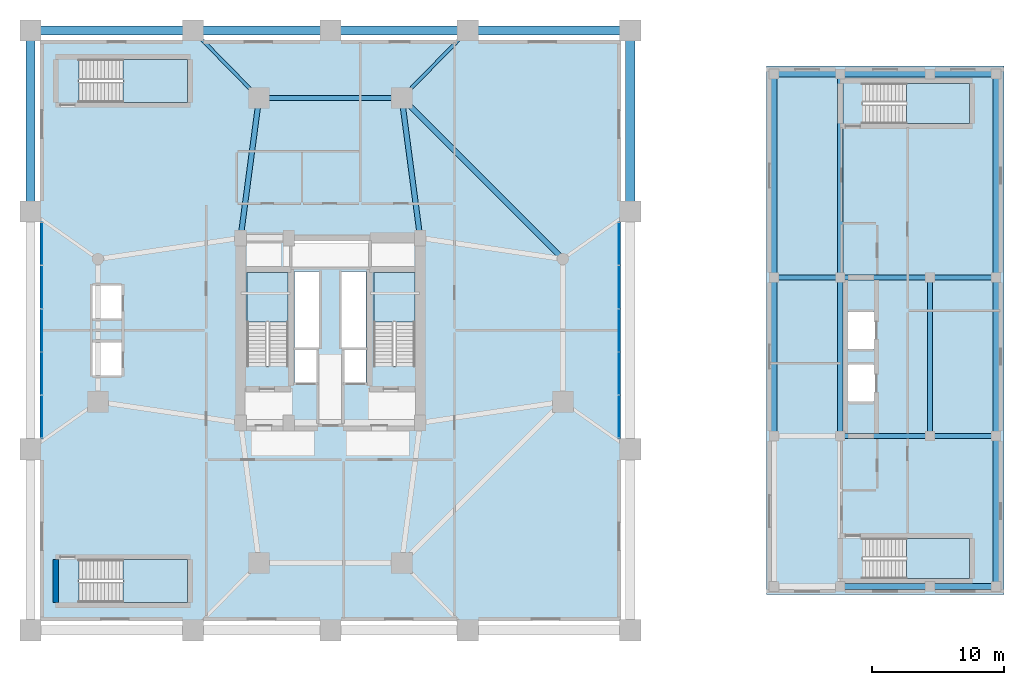
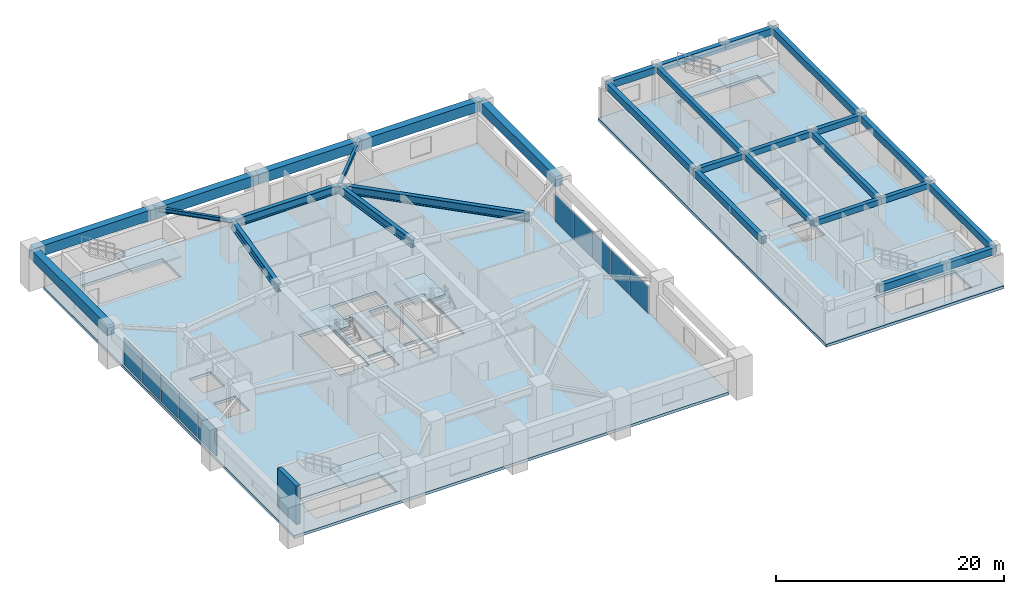
# One storey, part 13 of 22: 30 beams, 10 plates, 8 slabs, 1 wall, 8 elements without a shape of their own.
"""IFC4 building model written with IfcOpenShell, lengths in metres."""

from ifc_helpers import new_model, si_unit, direction, frame, frame_2d, origin, origin_2d, place, context, subcontext, project, spatial, polyline, rectangle, i_section, outline, extrude, source, transform, mapped, material, layer, layer_set, material_profile, profile_set, type_object, element, aggregate, save


model = new_model("IFC4")

# Units and contexts
model_context = context("Model", 3, precision=1e-05, world=origin(), true_north=direction((0.0, 1.0)))
body_context = subcontext(model_context, "Body", "Model", "MODEL_VIEW")
ifc_project = project(units=[si_unit("LENGTHUNIT", "METRE"), si_unit("AREAUNIT", "SQUARE_METRE"), si_unit("VOLUMEUNIT", "CUBIC_METRE"), si_unit("PLANEANGLEUNIT", "RADIAN"), si_unit("MASSUNIT", "GRAM", prefix="KILO")], contexts=[model_context])

# Site, building, storey
site_placement = place(None, origin())
site = spatial("IfcSite", under=ifc_project, at=site_placement, CompositionType="ELEMENT")
building_placement = place(site_placement, origin())
building = spatial("IfcBuilding", under=site, at=building_placement, Name="Veraguas Prism Commons", CompositionType="ELEMENT")
storey_placement = place(building_placement, frame((0.0, 0.0, 5.199951171875)))
storey = spatial("IfcBuildingStorey", under=building, at=storey_placement, Name="L01", CompositionType="ELEMENT", Elevation=5.199951171875)

# Beams
ifc_material_1 = material(Name="Concrete C50/60", Category="concrete")
ifc_material_profile_1 = material_profile(ifc_material_1, rectangle(XDim=0.39990234375, YDim=0.60009765625, at=origin_2d()), Name="RC400X600")
ifc_profile_set_1 = profile_set([ifc_material_profile_1], Name="Concrete C50/60")
beam_type_1 = type_object("IfcBeamType", Name="Clinic Secondary Beam RC 400x600", PredefinedType="BEAM", material=ifc_profile_set_1)
beam_1_placement = place(storey_placement, frame((62.60009765625, 16.0, 3.800048828125), z_axis=(1.0, 0.0, 0.0), x_axis=(0.0, 1.0, 0.0)))
element("IfcBeam", 1, at=beam_1_placement, inside=storey, type_object=beam_type_1, Name="Health Centre Beam L01-HCX05", PredefinedType="BEAM", context=body_context, shape_type="SweptSolid", body=[
    extrude(rectangle(XDim=0.39990234375, YDim=0.60009765625, at=origin_2d()), origin(), (0.0, 0.0, 1.0), 6.7998046875),
])
for number, where, z_axis, x_axis, name in (
    (2, (69.39990234375, 16.0, 3.800048828125), (1.0, 0.0, 0.0), (0.0, 1.0, 0.0), "Health Centre Beam L01-HCX06"),
    (3, (57.60009765625, 28.0, 3.800048828125), (1.0, 0.0, 0.0), (0.0, 1.0, 0.0), "Health Centre Beam L01-HCX07"),
):
    element("IfcBeam", number, at=place(storey_placement, frame(where, z_axis=z_axis, x_axis=x_axis)), inside=storey, type_object=beam_type_1, Name=name, PredefinedType="BEAM", context=body_context, shape_type="SweptSolid", body=[
        extrude(rectangle(XDim=0.39990234375, YDim=0.60009765625, at=origin_2d()), origin(), (0.0, 0.0, 1.0), 5.0),
    ])
beam_2_placement = place(storey_placement, frame((62.60009765625, 28.0, 3.800048828125), z_axis=(1.0, 0.0, 0.0), x_axis=(0.0, 1.0, 0.0)))
element("IfcBeam", 4, at=beam_2_placement, inside=storey, type_object=beam_type_1, Name="Health Centre Beam L01-HCX08", PredefinedType="BEAM", context=body_context, shape_type="SweptSolid", body=[
    extrude(rectangle(XDim=0.39990234375, YDim=0.60009765625, at=origin_2d()), origin(), (0.0, 0.0, 1.0), 6.7998046875),
])
beam_3_placement = place(storey_placement, frame((69.39990234375, 28.0, 3.800048828125), z_axis=(1.0, 0.0, 0.0), x_axis=(0.0, 1.0, 0.0)))
element("IfcBeam", 5, at=beam_3_placement, inside=storey, type_object=beam_type_1, Name="Health Centre Beam L01-HCX09", PredefinedType="BEAM", context=body_context, shape_type="SweptSolid", body=[
    extrude(rectangle(XDim=0.39990234375, YDim=0.60009765625, at=origin_2d()), origin(), (0.0, 0.0, 1.0), 5.0),
])
beam_4_placement = place(storey_placement, frame((62.60009765625, 16.0, 3.800048828125), z_axis=(0.0, 1.0, 0.0), x_axis=(-1.0, 0.0, 0.0)))
element("IfcBeam", 6, at=beam_4_placement, inside=storey, type_object=beam_type_1, Name="Health Centre Beam L01-HCY17", PredefinedType="BEAM", context=body_context, shape_type="SweptSolid", body=[
    extrude(rectangle(XDim=0.39990234375, YDim=0.60009765625, at=origin_2d()), origin(), (0.0, 0.0, 1.0), 12.0),
])
beam_5_placement = place(storey_placement, frame((62.60009765625, 28.0, 3.800048828125), z_axis=(0.0, 1.0, 0.0), x_axis=(-1.0, 0.0, 0.0)))
element("IfcBeam", 7, at=beam_5_placement, inside=storey, type_object=beam_type_1, Name="Health Centre Beam L01-HCY18", PredefinedType="BEAM", context=body_context, shape_type="SweptSolid", body=[
    extrude(rectangle(XDim=0.39990234375, YDim=0.60009765625, at=origin_2d()), origin(), (0.0, 0.0, 1.0), 15.39990234375),
])
beam_6_placement = place(storey_placement, frame((69.39990234375, 16.0, 3.800048828125), z_axis=(0.0, 1.0, 0.0), x_axis=(-1.0, 0.0, 0.0)))
element("IfcBeam", 8, at=beam_6_placement, inside=storey, type_object=beam_type_1, Name="Health Centre Beam L01-HCY20", PredefinedType="BEAM", context=body_context, shape_type="SweptSolid", body=[
    extrude(rectangle(XDim=0.39990234375, YDim=0.60009765625, at=origin_2d()), origin(), (0.0, 0.0, 1.0), 12.0),
])
ifc_material_2 = material(Name="Steel ASTM A992 Grade 50", Category="steel")
ifc_material_profile_2 = material_profile(ifc_material_2, i_section(OverallWidth=0.403076171875, OverallDepth=0.867919921875, WebThickness=0.02099609375, FlangeThickness=0.03564453125, at=origin_2d()), Name="W840X359")
ifc_profile_set_2 = profile_set([ifc_material_profile_2], Name="Steel ASTM A992 Grade 50")
beam_type_2 = type_object("IfcBeamType", Name="Concourse Primary Girder W840x359", PredefinedType="BEAM", material=ifc_profile_set_2)
for number, where, z_axis, x_axis, name in (
    (9, (29.39990234375, 41.60009765625, 3.666015625), (0.130950648891, -0.991388888154, 0.0), (0.991388888154, 0.130950648891, 0.0), "Concourse Radial Girder L01-TMR03"),
    (10, (18.60009765625, 41.60009765625, 3.666015625), (-0.130950648891, -0.991388888154, 0.0), (0.991388888154, -0.130950648891, 0.0), "Concourse Radial Girder L01-TMR04"),
):
    element("IfcBeam", number, at=place(storey_placement, frame(where, z_axis=z_axis, x_axis=x_axis)), inside=storey, type_object=beam_type_2, Name=name, PredefinedType="BEAM", context=body_context, shape_type="SweptSolid", body=[
        extrude(i_section(OverallWidth=0.403076171875, OverallDepth=0.867919921875, WebThickness=0.02099609375, FlangeThickness=0.03564453125, at=origin_2d()), origin(), (0.0, 0.0, 1.0), 10.692138671875),
    ])
beam_7_placement = place(storey_placement, frame((41.60009765625, 29.39990234375, 3.666015625), z_axis=(-0.707106781187, 0.707106781187, 0.0), x_axis=(-0.707106781187, -0.707106781187, 0.0)))
element("IfcBeam", 11, at=beam_7_placement, inside=storey, type_object=beam_type_2, Name="Concourse Ring Girder L01-TMH02", PredefinedType="BEAM", context=body_context, shape_type="SweptSolid", body=[
    extrude(i_section(OverallWidth=0.403076171875, OverallDepth=0.867919921875, WebThickness=0.02099609375, FlangeThickness=0.03564453125, at=origin_2d()), origin(), (0.0, 0.0, 1.0), 17.253662109375),
])
beam_8_placement = place(storey_placement, frame((29.39990234375, 41.60009765625, 3.666015625), z_axis=(-1.0, 0.0, 0.0), x_axis=(0.0, -1.0, 0.0)))
element("IfcBeam", 12, at=beam_8_placement, inside=storey, type_object=beam_type_2, Name="Concourse Ring Girder L01-TMH03", PredefinedType="BEAM", context=body_context, shape_type="SweptSolid", body=[
    extrude(i_section(OverallWidth=0.403076171875, OverallDepth=0.867919921875, WebThickness=0.02099609375, FlangeThickness=0.03564453125, at=origin_2d()), origin(), (0.0, 0.0, 1.0), 10.7998046875),
])
ifc_material_profile_3 = material_profile(ifc_material_2, i_section(OverallWidth=0.260986328125, OverallDepth=0.419921875, WebThickness=0.01171875, FlangeThickness=0.019287109375, at=origin_2d()), Name="W410X114")
ifc_profile_set_3 = profile_set([ifc_material_profile_3], Name="Steel ASTM A992 Grade 50")
beam_type_3 = type_object("IfcBeamType", Name="Lower Floor Joist W410x114", PredefinedType="JOIST", material=ifc_profile_set_3)
for number, where, z_axis, x_axis, name in (
    (13, (29.39990234375, 41.60009765625, 3.89013671875), (0.700081663946, 0.71406278702, 0.0), (-0.71406278702, 0.700081663946, 0.0), "Podium Tie Beam L01-TMT03"),
    (14, (18.60009765625, 41.60009765625, 3.89013671875), (-0.700081663946, 0.71406278702, 0.0), (-0.71406278702, -0.700081663946, 0.0), "Podium Tie Beam L01-TMT04"),
):
    element("IfcBeam", number, at=place(storey_placement, frame(where, z_axis=z_axis, x_axis=x_axis)), inside=storey, type_object=beam_type_3, Name=name, PredefinedType="JOIST", context=body_context, shape_type="SweptSolid", body=[
        extrude(i_section(OverallWidth=0.260986328125, OverallDepth=0.419921875, WebThickness=0.01171875, FlangeThickness=0.019287109375, at=origin_2d()), origin(), (0.0, 0.0, 1.0), 7.14208984375),
    ])
ifc_material_profile_4 = material_profile(ifc_material_1, rectangle(XDim=0.449951171875, YDim=0.75, at=origin_2d()), Name="RC450X750")
ifc_profile_set_4 = profile_set([ifc_material_profile_4], Name="Concrete C50/60")
beam_type_4 = type_object("IfcBeamType", Name="Perimeter Spandrel Upper RC 450x750", PredefinedType="SPANDREL", material=ifc_profile_set_4)
beam_9_placement = place(storey_placement, frame((62.60009765625, 4.60009765625, 3.72509765625), z_axis=(1.0, 0.0, 0.0), x_axis=(0.0, 1.0, 0.0)))
element("IfcBeam", 15, at=beam_9_placement, inside=storey, type_object=beam_type_4, Name="Health Centre Beam L01-HCX02", PredefinedType="SPANDREL", context=body_context, shape_type="SweptSolid", body=[
    extrude(rectangle(XDim=0.449951171875, YDim=0.75, at=origin_2d()), origin(), (0.0, 0.0, 1.0), 6.7998046875),
])
for number, where, z_axis, x_axis, name in (
    (16, (69.39990234375, 4.60009765625, 3.72509765625), (1.0, 0.0, 0.0), (0.0, 1.0, 0.0), "Health Centre Beam L01-HCX03"),
    (17, (57.60009765625, 43.39990234375, 3.72509765625), (1.0, 0.0, 0.0), (0.0, 1.0, 0.0), "Health Centre Beam L01-HCX10"),
):
    element("IfcBeam", number, at=place(storey_placement, frame(where, z_axis=z_axis, x_axis=x_axis)), inside=storey, type_object=beam_type_4, Name=name, PredefinedType="SPANDREL", context=body_context, shape_type="SweptSolid", body=[
        extrude(rectangle(XDim=0.449951171875, YDim=0.75, at=origin_2d()), origin(), (0.0, 0.0, 1.0), 5.0),
    ])
beam_10_placement = place(storey_placement, frame((62.60009765625, 43.39990234375, 3.72509765625), z_axis=(1.0, 0.0, 0.0), x_axis=(0.0, 1.0, 0.0)))
element("IfcBeam", 18, at=beam_10_placement, inside=storey, type_object=beam_type_4, Name="Health Centre Beam L01-HCX11", PredefinedType="SPANDREL", context=body_context, shape_type="SweptSolid", body=[
    extrude(rectangle(XDim=0.449951171875, YDim=0.75, at=origin_2d()), origin(), (0.0, 0.0, 1.0), 6.7998046875),
])
beam_11_placement = place(storey_placement, frame((69.39990234375, 43.39990234375, 3.72509765625), z_axis=(1.0, 0.0, 0.0), x_axis=(0.0, 1.0, 0.0)))
element("IfcBeam", 19, at=beam_11_placement, inside=storey, type_object=beam_type_4, Name="Health Centre Beam L01-HCX12", PredefinedType="SPANDREL", context=body_context, shape_type="SweptSolid", body=[
    extrude(rectangle(XDim=0.449951171875, YDim=0.75, at=origin_2d()), origin(), (0.0, 0.0, 1.0), 5.0),
])
beam_12_placement = place(storey_placement, frame((57.60009765625, 16.0, 3.72509765625), z_axis=(0.0, 1.0, 0.0), x_axis=(-1.0, 0.0, 0.0)))
element("IfcBeam", 20, at=beam_12_placement, inside=storey, type_object=beam_type_4, Name="Health Centre Beam L01-HCY14", PredefinedType="SPANDREL", context=body_context, shape_type="SweptSolid", body=[
    extrude(rectangle(XDim=0.449951171875, YDim=0.75, at=origin_2d()), origin(), (0.0, 0.0, 1.0), 12.0),
])
beam_13_placement = place(storey_placement, frame((57.60009765625, 28.0, 3.72509765625), z_axis=(0.0, 1.0, 0.0), x_axis=(-1.0, 0.0, 0.0)))
element("IfcBeam", 21, at=beam_13_placement, inside=storey, type_object=beam_type_4, Name="Health Centre Beam L01-HCY15", PredefinedType="SPANDREL", context=body_context, shape_type="SweptSolid", body=[
    extrude(rectangle(XDim=0.449951171875, YDim=0.75, at=origin_2d()), origin(), (0.0, 0.0, 1.0), 15.39990234375),
])
beam_14_placement = place(storey_placement, frame((74.39990234375, 4.60009765625, 3.72509765625), z_axis=(0.0, 1.0, 0.0), x_axis=(-1.0, 0.0, 0.0)))
element("IfcBeam", 22, at=beam_14_placement, inside=storey, type_object=beam_type_4, Name="Health Centre Beam L01-HCY22", PredefinedType="SPANDREL", context=body_context, shape_type="SweptSolid", body=[
    extrude(rectangle(XDim=0.449951171875, YDim=0.75, at=origin_2d()), origin(), (0.0, 0.0, 1.0), 11.39990234375),
])
beam_15_placement = place(storey_placement, frame((74.39990234375, 16.0, 3.72509765625), z_axis=(0.0, 1.0, 0.0), x_axis=(-1.0, 0.0, 0.0)))
element("IfcBeam", 23, at=beam_15_placement, inside=storey, type_object=beam_type_4, Name="Health Centre Beam L01-HCY23", PredefinedType="SPANDREL", context=body_context, shape_type="SweptSolid", body=[
    extrude(rectangle(XDim=0.449951171875, YDim=0.75, at=origin_2d()), origin(), (0.0, 0.0, 1.0), 12.0),
])
beam_16_placement = place(storey_placement, frame((74.39990234375, 28.0, 3.72509765625), z_axis=(0.0, 1.0, 0.0), x_axis=(-1.0, 0.0, 0.0)))
element("IfcBeam", 24, at=beam_16_placement, inside=storey, type_object=beam_type_4, Name="Health Centre Beam L01-HCY24", PredefinedType="SPANDREL", context=body_context, shape_type="SweptSolid", body=[
    extrude(rectangle(XDim=0.449951171875, YDim=0.75, at=origin_2d()), origin(), (0.0, 0.0, 1.0), 15.39990234375),
])
ifc_material_profile_5 = material_profile(ifc_material_1, rectangle(XDim=0.699951171875, YDim=1.10009765625, at=origin_2d()), Name="RC700X1100")
ifc_profile_set_5 = profile_set([ifc_material_profile_5], Name="Concrete C50/60")
beam_type_5 = type_object("IfcBeamType", Name="Podium Primary Girder RC 700x1100", PredefinedType="BEAM", material=ifc_profile_set_5)
beam_17_placement = place(storey_placement, frame((46.699951171875, 33.0, 3.550048828125), z_axis=(0.0, 1.0, 0.0), x_axis=(-1.0, 0.0, 0.0)))
element("IfcBeam", 25, at=beam_17_placement, inside=storey, type_object=beam_type_5, Name="Podium Perimeter Girder L01-PDR07", PredefinedType="BEAM", context=body_context, shape_type="SweptSolid", body=[
    extrude(rectangle(XDim=0.699951171875, YDim=1.10009765625, at=origin_2d()), origin(), (0.0, 0.0, 1.0), 13.699951171875),
])
beam_18_placement = place(storey_placement, frame((46.699951171875, 46.699951171875, 3.550048828125), z_axis=(-1.0, 0.0, 0.0), x_axis=(0.0, -1.0, 0.0)))
element("IfcBeam", 26, at=beam_18_placement, inside=storey, type_object=beam_type_5, Name="Podium Perimeter Girder L01-PDR08", PredefinedType="BEAM", context=body_context, shape_type="SweptSolid", body=[
    extrude(rectangle(XDim=0.699951171875, YDim=1.10009765625, at=origin_2d()), origin(), (0.0, 0.0, 1.0), 12.300048828125),
])
for number, where, z_axis, x_axis, name in (
    (27, (34.39990234375, 46.699951171875, 3.550048828125), (-1.0, 0.0, 0.0), (0.0, -1.0, 0.0), "Podium Perimeter Girder L01-PDR09"),
    (28, (24.0, 46.699951171875, 3.550048828125), (-1.0, 0.0, 0.0), (0.0, -1.0, 0.0), "Podium Perimeter Girder L01-PDR10"),
):
    element("IfcBeam", number, at=place(storey_placement, frame(where, z_axis=z_axis, x_axis=x_axis)), inside=storey, type_object=beam_type_5, Name=name, PredefinedType="BEAM", context=body_context, shape_type="SweptSolid", body=[
        extrude(rectangle(XDim=0.699951171875, YDim=1.10009765625, at=origin_2d()), origin(), (0.0, 0.0, 1.0), 10.39990234375),
    ])
beam_19_placement = place(storey_placement, frame((13.60009765625, 46.699951171875, 3.550048828125), z_axis=(-1.0, 0.0, 0.0), x_axis=(0.0, -1.0, 0.0)))
element("IfcBeam", 29, at=beam_19_placement, inside=storey, type_object=beam_type_5, Name="Podium Perimeter Girder L01-PDR11", PredefinedType="BEAM", context=body_context, shape_type="SweptSolid", body=[
    extrude(rectangle(XDim=0.699951171875, YDim=1.10009765625, at=origin_2d()), origin(), (0.0, 0.0, 1.0), 12.300048828125),
])
beam_20_placement = place(storey_placement, frame((1.300048828125, 46.699951171875, 3.550048828125), z_axis=(0.0, -1.0, 0.0), x_axis=(1.0, 0.0, 0.0)))
element("IfcBeam", 30, at=beam_20_placement, inside=storey, type_object=beam_type_5, Name="Podium Perimeter Girder L01-PDR12", PredefinedType="BEAM", context=body_context, shape_type="SweptSolid", body=[
    extrude(rectangle(XDim=0.699951171875, YDim=1.10009765625, at=origin_2d()), origin(), (0.0, 0.0, 1.0), 13.699951171875),
])

# Slabs
ifc_material_3 = material(Name="Concrete C45/55", Category="concrete")
ifc_layer_1 = layer(ifc_material_3, 0.300048828125, Name="Podium Concourse and Clinic Slab RC 300", Category="concrete")
ifc_layer_set_1 = layer_set([ifc_layer_1], Name="Concrete C45/55")
slab_type_1 = type_object("IfcSlabType", Name="Podium Concourse and Clinic Slab RC 300", PredefinedType="FLOOR", material=ifc_layer_set_1)
slab_1_placement = place(storey_placement, frame((0.0, 0.0, -0.300048828125)))
element("IfcSlab", 31, at=slab_1_placement, inside=storey, type_object=slab_type_1, Name="Podium and Station Slab L01", PredefinedType="FLOOR", context=body_context, shape_type="SweptSolid", body=[
    extrude(outline(polyline([(2.0, 2.0), (46.0, 2.0), (46.0, 46.0), (2.0, 46.0), (2.0, 2.0)]), holes=[polyline([(20.800048828125, 21.31005859375), (20.800048828125, 28.39990234375), (17.68994140625, 28.39990234375), (17.68994140625, 21.31005859375), (20.800048828125, 21.31005859375)]), polyline([(30.39990234375, 21.31005859375), (30.39990234375, 28.39990234375), (27.2900390625, 28.39990234375), (27.2900390625, 21.31005859375), (30.39990234375, 21.31005859375)]), polyline([(4.97998046875, 3.39990234375), (13.199951171875, 3.39990234375), (13.199951171875, 6.64990234375), (4.97998046875, 6.64990234375), (4.97998046875, 3.39990234375)]), polyline([(4.97998046875, 41.260009765625), (13.199951171875, 41.260009765625), (13.199951171875, 44.510009765625), (4.97998046875, 44.510009765625), (4.97998046875, 41.260009765625)]), polyline([(21.300048828125, 22.64990234375), (23.14990234375, 22.64990234375), (23.14990234375, 28.449951171875), (21.300048828125, 28.449951171875), (21.300048828125, 22.64990234375)]), polyline([(24.85009765625, 22.64990234375), (26.699951171875, 22.64990234375), (26.699951171875, 28.449951171875), (24.85009765625, 28.449951171875), (24.85009765625, 22.64990234375)]), polyline([(21.10009765625, 28.800048828125), (26.89990234375, 28.800048828125), (26.89990234375, 30.800048828125), (21.10009765625, 30.800048828125), (21.10009765625, 28.800048828125)]), polyline([(21.300048828125, 20.050048828125), (23.050048828125, 20.050048828125), (23.050048828125, 22.550048828125), (21.300048828125, 22.550048828125), (21.300048828125, 20.050048828125)]), polyline([(24.949951171875, 20.050048828125), (26.699951171875, 20.050048828125), (26.699951171875, 22.550048828125), (24.949951171875, 22.550048828125), (24.949951171875, 20.050048828125)]), polyline([(6.0, 20.60009765625), (8.199951171875, 20.60009765625), (8.199951171875, 23.10009765625), (6.0, 23.10009765625), (6.0, 20.60009765625)]), polyline([(6.0, 24.89990234375), (8.199951171875, 24.89990234375), (8.199951171875, 27.39990234375), (6.0, 27.39990234375), (6.0, 24.89990234375)])]), origin(), (0.0, 0.0, 1.0), 0.300048828125),
])
slab_2_placement = place(storey_placement, frame((0.0, 0.0, -0.300048828125)))
element("IfcSlab", 32, at=slab_2_placement, inside=storey, type_object=slab_type_1, Name="Health Centre Floor Slab L01", PredefinedType="FLOOR", context=body_context, shape_type="SweptSolid", body=[
    extrude(outline(polyline([(57.0, 4.0), (75.0, 4.0), (75.0, 44.0), (57.0, 44.0), (57.0, 4.0)]), holes=[polyline([(64.280029296875, 5.199951171875), (72.39990234375, 5.199951171875), (72.39990234375, 8.25), (64.280029296875, 8.25), (64.280029296875, 5.199951171875)]), polyline([(64.280029296875, 39.659912109375), (72.39990234375, 39.659912109375), (72.39990234375, 42.7099609375), (64.280029296875, 42.7099609375), (64.280029296875, 39.659912109375)]), polyline([(63.199951171875, 18.60009765625), (65.25, 18.60009765625), (65.25, 21.39990234375), (63.199951171875, 21.39990234375), (63.199951171875, 18.60009765625)]), polyline([(63.199951171875, 22.60009765625), (65.25, 22.60009765625), (65.25, 25.39990234375), (63.199951171875, 25.39990234375), (63.199951171875, 22.60009765625)])]), origin(), (0.0, 0.0, 1.0), 0.300048828125),
])

# Stair, slab
ifc_material_4 = material(Name="Precast concrete C45/55", Category="concrete")
stair_type_1 = type_object("IfcStairType", Name="Dogleg Core Stair 1480W 26R 03", PredefinedType="HALF_TURN_STAIR", material=ifc_material_4)
stair_1_placement = place(storey_placement, origin())
stair_1 = element("IfcStair", 33, at=stair_1_placement, inside=storey, type_object=stair_type_1, Name="Protected Exit Stair ST-01 L01", PredefinedType="HALF_TURN_STAIR")
ifc_layer_2 = layer(ifc_material_4, 0.199951171875, Name="Precast Stair and Ramp Landing Slab 200", Category="concrete")
ifc_layer_set_2 = layer_set([ifc_layer_2], Name="Precast concrete C45/55")
slab_type_2 = type_object("IfcSlabType", Name="Precast Stair and Ramp Landing Slab 200", PredefinedType="LANDING", material=ifc_layer_set_2)
slab_3_placement = place(storey_placement, frame((0.0, 0.0, 2.0)))
slab_3 = element("IfcSlab", 34, at=slab_3_placement, type_object=slab_type_2, Name="ST-03 Landing 1", PredefinedType="LANDING", context=body_context, shape_type="SweptSolid", body=[
    extrude(outline(polyline([(20.800048828125, 24.639892578125), (20.800048828125, 28.39990234375), (17.68994140625, 28.39990234375), (17.68994140625, 24.639892578125), (20.800048828125, 24.639892578125)])), origin(), (0.0, 0.0, 1.0), 0.199951171875),
])
aggregate(stair_1, [slab_3])

stair_2_placement = place(storey_placement, origin())
stair_2 = element("IfcStair", 35, at=stair_2_placement, inside=storey, type_object=stair_type_1, Name="Protected Exit Stair ST-02 L01", PredefinedType="HALF_TURN_STAIR")
slab_4_placement = place(storey_placement, frame((0.0, 0.0, 2.0)))
slab_4 = element("IfcSlab", 36, at=slab_4_placement, type_object=slab_type_2, Name="ST-03 Landing 1", PredefinedType="LANDING", context=body_context, shape_type="SweptSolid", body=[
    extrude(outline(polyline([(30.39990234375, 24.639892578125), (30.39990234375, 28.39990234375), (27.2900390625, 28.39990234375), (27.2900390625, 24.639892578125), (30.39990234375, 24.639892578125)])), origin(), (0.0, 0.0, 1.0), 0.199951171875),
])
aggregate(stair_2, [slab_4])

stair_type_2 = type_object("IfcStairType", Name="Dogleg Core Stair 1550W 26R 11", PredefinedType="HALF_TURN_STAIR", material=ifc_material_4)
stair_3_placement = place(storey_placement, origin())
stair_3 = element("IfcStair", 37, at=stair_3_placement, inside=storey, type_object=stair_type_2, Name="Protected Exit Stair ST-M1 L01", PredefinedType="HALF_TURN_STAIR")
slab_5_placement = place(storey_placement, frame((0.0, 0.0, 2.0)))
slab_5 = element("IfcSlab", 38, at=slab_5_placement, type_object=slab_type_2, Name="ST-11 Landing 1", PredefinedType="LANDING", context=body_context, shape_type="SweptSolid", body=[
    extrude(outline(polyline([(8.31005859375, 3.39990234375), (13.199951171875, 3.39990234375), (13.199951171875, 6.64990234375), (8.31005859375, 6.64990234375), (8.31005859375, 3.39990234375)])), origin(), (0.0, 0.0, 1.0), 0.199951171875),
])
aggregate(stair_3, [slab_5])

stair_4_placement = place(storey_placement, origin())
stair_4 = element("IfcStair", 39, at=stair_4_placement, inside=storey, type_object=stair_type_2, Name="Protected Exit Stair ST-M2 L01", PredefinedType="HALF_TURN_STAIR")
slab_6_placement = place(storey_placement, frame((0.0, 0.0, 2.0)))
slab_6 = element("IfcSlab", 40, at=slab_6_placement, type_object=slab_type_2, Name="ST-11 Landing 1", PredefinedType="LANDING", context=body_context, shape_type="SweptSolid", body=[
    extrude(outline(polyline([(8.31005859375, 41.260009765625), (13.199951171875, 41.260009765625), (13.199951171875, 44.510009765625), (8.31005859375, 44.510009765625), (8.31005859375, 41.260009765625)])), origin(), (0.0, 0.0, 1.0), 0.199951171875),
])
aggregate(stair_4, [slab_6])

stair_type_3 = type_object("IfcStairType", Name="Dogleg Core Stair 1450W 26R 14", PredefinedType="HALF_TURN_STAIR", material=ifc_material_4)
stair_5_placement = place(storey_placement, origin())
stair_5 = element("IfcStair", 41, at=stair_5_placement, inside=storey, type_object=stair_type_3, Name="Protected Exit Stair ST-H1 L01", PredefinedType="HALF_TURN_STAIR")
slab_7_placement = place(storey_placement, frame((0.0, 0.0, 2.0)))
slab_7 = element("IfcSlab", 42, at=slab_7_placement, type_object=slab_type_2, Name="ST-14 Landing 1", PredefinedType="LANDING", context=body_context, shape_type="SweptSolid", body=[
    extrude(outline(polyline([(67.610107421875, 5.199951171875), (72.39990234375, 5.199951171875), (72.39990234375, 8.25), (67.610107421875, 8.25), (67.610107421875, 5.199951171875)])), origin(), (0.0, 0.0, 1.0), 0.199951171875),
])
aggregate(stair_5, [slab_7])

stair_6_placement = place(storey_placement, origin())
stair_6 = element("IfcStair", 43, at=stair_6_placement, inside=storey, type_object=stair_type_3, Name="Protected Exit Stair ST-H2 L01", PredefinedType="HALF_TURN_STAIR")
slab_8_placement = place(storey_placement, frame((0.0, 0.0, 2.0)))
slab_8 = element("IfcSlab", 44, at=slab_8_placement, type_object=slab_type_2, Name="ST-14 Landing 1", PredefinedType="LANDING", context=body_context, shape_type="SweptSolid", body=[
    extrude(outline(polyline([(67.610107421875, 39.659912109375), (72.39990234375, 39.659912109375), (72.39990234375, 42.7099609375), (67.610107421875, 42.7099609375), (67.610107421875, 39.659912109375)])), origin(), (0.0, 0.0, 1.0), 0.199951171875),
])
aggregate(stair_6, [slab_8])

# Curtain wall, plates
ifc_material_5 = material(Name="Anodised aluminium EN AW-6063 T6", Category="aluminium")
ifc_layer_3 = layer(ifc_material_5, 0.199951171875, Name="Metro Concourse Structural Glazing", Category="aluminium")
ifc_layer_set_3 = layer_set([ifc_layer_3], Name="Anodised aluminium EN AW-6063 T6")
curtain_wall_type = type_object("IfcCurtainWallType", Name="Metro Concourse Structural Glazing", PredefinedType="NOTDEFINED", material=ifc_layer_set_3)
curtain_wall_1_placement = place(storey_placement, origin())
curtain_wall_1 = element("IfcCurtainWall", 45, at=curtain_wall_1_placement, inside=storey, type_object=curtain_wall_type, Name="Plaza Concourse Curtain Wall L01-E02", PredefinedType="NOTDEFINED")
ifc_material_6 = material(Name="Laminated low-e glass", Category="glass")
ifc_layer_4 = layer(ifc_material_6, 0.031982421875, Name="Concourse Acoustic Triple Glazed Panel 32", Category="glass")
ifc_layer_set_4 = layer_set([ifc_layer_4], Name="Laminated low-e glass")
plate_type = type_object("IfcPlateType", Name="Concourse Acoustic Triple Glazed Panel 32", PredefinedType="CURTAIN_PANEL", material=ifc_layer_set_4)
shared_shape_1 = source(origin(), body_context, "Body", "SweptSolid", [
    extrude(rectangle(XDim=3.1826171875, YDim=0.031982421875, at=origin_2d()), origin(), (0.0, 0.0, 1.0), 2.8798828125),
])
plate_1_placement = place(storey_placement, frame((45.85009765625, 17.456298828125, 0.06005859375), z_axis=(0.0, 0.0, 1.0), x_axis=(0.0, 1.0, 0.0)))
plate_1 = element("IfcPlate", 46, at=plate_1_placement, type_object=plate_type, Name="CW-STN Panel 1.1", PredefinedType="CURTAIN_PANEL", context=body_context, shape_type="MappedRepresentation", body=[
    mapped(shared_shape_1, transform((0.0, 0.0, 0.0), scale=1.0)),
])
plate_2_placement = place(storey_placement, frame((45.85009765625, 30.543701171875, 0.06005859375), z_axis=(0.0, 0.0, 1.0), x_axis=(0.0, 1.0, 0.0)))
plate_2 = element("IfcPlate", 47, at=plate_2_placement, type_object=plate_type, Name="CW-STN Panel 5.1", PredefinedType="CURTAIN_PANEL", context=body_context, shape_type="MappedRepresentation", body=[
    mapped(shared_shape_1, transform((0.0, 0.0, 0.0), scale=1.0)),
])

curtain_wall_2_placement = place(storey_placement, origin())
curtain_wall_2 = element("IfcCurtainWall", 48, at=curtain_wall_2_placement, inside=storey, type_object=curtain_wall_type, Name="Via Espana Metro Concourse Curtain Wall L01-W02", PredefinedType="NOTDEFINED")
plate_3_placement = place(storey_placement, frame((2.14990234375, 30.543701171875, 0.06005859375), z_axis=(0.0, 0.0, 1.0), x_axis=(0.0, -1.0, 0.0)))
plate_3 = element("IfcPlate", 49, at=plate_3_placement, type_object=plate_type, Name="CW-STN Panel 1.1", PredefinedType="CURTAIN_PANEL", context=body_context, shape_type="MappedRepresentation", body=[
    mapped(shared_shape_1, transform((0.0, 0.0, 0.0), scale=1.0)),
])
plate_4_placement = place(storey_placement, frame((2.14990234375, 17.456298828125, 0.06005859375), z_axis=(0.0, 0.0, 1.0), x_axis=(0.0, -1.0, 0.0)))
plate_4 = element("IfcPlate", 50, at=plate_4_placement, type_object=plate_type, Name="CW-STN Panel 5.1", PredefinedType="CURTAIN_PANEL", context=body_context, shape_type="MappedRepresentation", body=[
    mapped(shared_shape_1, transform((0.0, 0.0, 0.0), scale=1.0)),
])

# Plate
shared_shape_2 = source(origin(), body_context, "Body", "SweptSolid", [
    extrude(rectangle(XDim=3.215087890625, YDim=0.031982421875, at=origin_2d()), origin(), (0.0, 0.0, 1.0), 2.8798828125),
])
plate_5_placement = place(storey_placement, frame((45.85009765625, 20.719970703125, 0.06005859375), z_axis=(0.0, 0.0, 1.0), x_axis=(0.0, 1.0, 0.0)))
plate_5 = element("IfcPlate", 51, at=plate_5_placement, type_object=plate_type, Name="CW-STN Panel 2.1", PredefinedType="CURTAIN_PANEL", context=body_context, shape_type="MappedRepresentation", body=[
    mapped(shared_shape_2, transform((0.0, 0.0, 0.0), scale=1.0)),
])

plate_6_placement = place(storey_placement, frame((45.85009765625, 24.0, 0.06005859375), z_axis=(0.0, 0.0, 1.0), x_axis=(0.0, 1.0, 0.0)))
plate_6 = element("IfcPlate", 52, at=plate_6_placement, type_object=plate_type, Name="CW-STN Panel 3.1", PredefinedType="CURTAIN_PANEL", context=body_context, shape_type="MappedRepresentation", body=[
    mapped(shared_shape_2, transform((0.0, 0.0, 0.0), scale=1.0)),
])

plate_7_placement = place(storey_placement, frame((45.85009765625, 27.280029296875, 0.06005859375), z_axis=(0.0, 0.0, 1.0), x_axis=(0.0, 1.0, 0.0)))
plate_7 = element("IfcPlate", 53, at=plate_7_placement, type_object=plate_type, Name="CW-STN Panel 4.1", PredefinedType="CURTAIN_PANEL", context=body_context, shape_type="MappedRepresentation", body=[
    mapped(shared_shape_2, transform((0.0, 0.0, 0.0), scale=1.0)),
])

aggregate(curtain_wall_1, [plate_1, plate_5, plate_6, plate_7, plate_2])

plate_8_placement = place(storey_placement, frame((2.14990234375, 27.280029296875, 0.06005859375), z_axis=(0.0, 0.0, 1.0), x_axis=(0.0, -1.0, 0.0)))
plate_8 = element("IfcPlate", 54, at=plate_8_placement, type_object=plate_type, Name="CW-STN Panel 2.1", PredefinedType="CURTAIN_PANEL", context=body_context, shape_type="MappedRepresentation", body=[
    mapped(shared_shape_2, transform((0.0, 0.0, 0.0), scale=1.0)),
])

plate_9_placement = place(storey_placement, frame((2.14990234375, 24.0, 0.06005859375), z_axis=(0.0, 0.0, 1.0), x_axis=(0.0, -1.0, 0.0)))
plate_9 = element("IfcPlate", 55, at=plate_9_placement, type_object=plate_type, Name="CW-STN Panel 3.1", PredefinedType="CURTAIN_PANEL", context=body_context, shape_type="MappedRepresentation", body=[
    mapped(shared_shape_2, transform((0.0, 0.0, 0.0), scale=1.0)),
])

plate_10_placement = place(storey_placement, frame((2.14990234375, 20.719970703125, 0.06005859375), z_axis=(0.0, 0.0, 1.0), x_axis=(0.0, -1.0, 0.0)))
plate_10 = element("IfcPlate", 56, at=plate_10_placement, type_object=plate_type, Name="CW-STN Panel 4.1", PredefinedType="CURTAIN_PANEL", context=body_context, shape_type="MappedRepresentation", body=[
    mapped(shared_shape_2, transform((0.0, 0.0, 0.0), scale=1.0)),
])

aggregate(curtain_wall_2, [plate_3, plate_8, plate_9, plate_10, plate_4])

# Wall
ifc_layer_5 = layer(ifc_material_1, 0.39990234375, Name="Clinic and Mid Core Shear Wall RC 400", Category="concrete")
ifc_layer_set_5 = layer_set([ifc_layer_5], Name="Concrete C50/60")
wall_type = type_object("IfcWallType", Name="Clinic and Mid Core Shear Wall RC 400", PredefinedType="SHEAR", material=ifc_layer_set_5)
wall_placement = place(storey_placement, frame((3.199951171875, 3.39990234375, 0.0), z_axis=(0.0, 0.0, 1.0), x_axis=(0.0, 1.0, 0.0)))
element("IfcWall", 57, at=wall_placement, inside=storey, type_object=wall_type, Name="ST-M1 West Shear Wall L01", PredefinedType="SHEAR", context=body_context, shape_type="SweptSolid", body=[
    extrude(rectangle(XDim=3.25, YDim=0.39990234375, at=frame_2d((1.625, 0.0))), origin(), (0.0, 0.0, 1.0), 4.10009765625),
])

save(model, "model.ifc")
